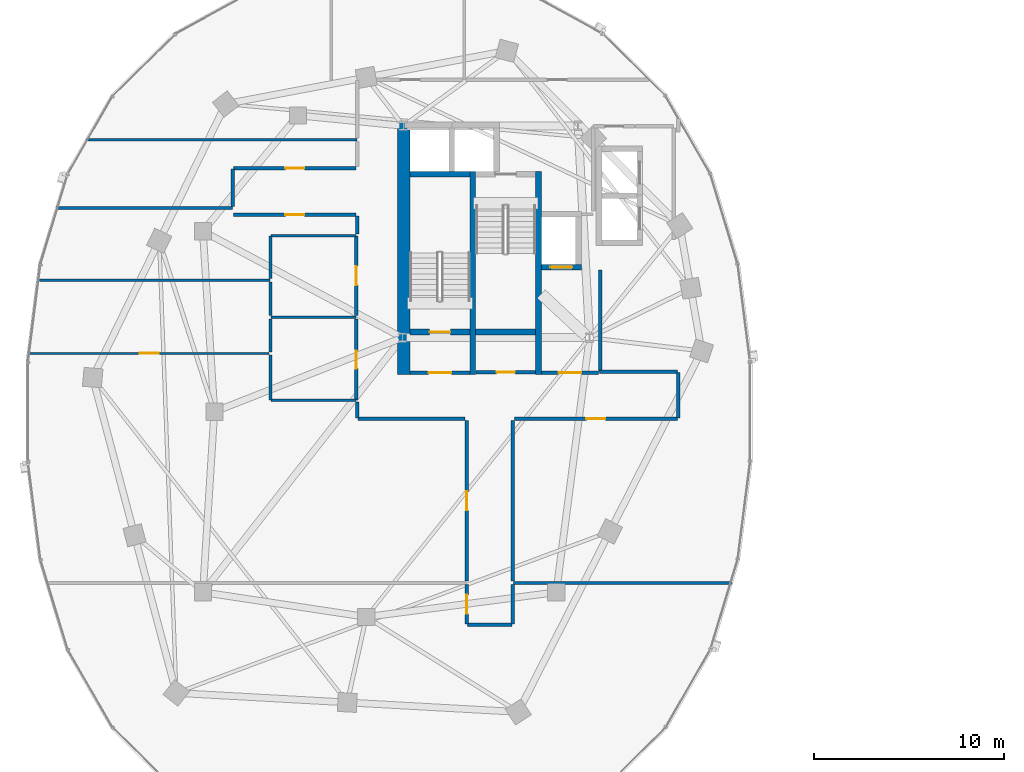
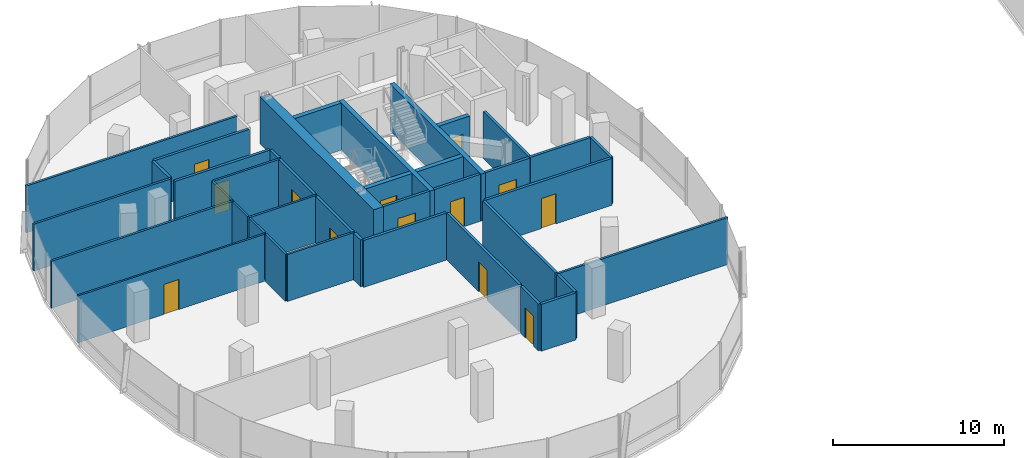
# One storey, part 12 of 22: 39 walls, 13 doors, 13 openings.
"""IFC4 building model written with IfcOpenShell, lengths in metres."""

from ifc_helpers import new_model, si_unit, direction, frame, frame_2d, origin, place, context, subcontext, project, spatial, rectangle, extrude, material, layer, layer_set, type_object, element, fill, save


model = new_model("IFC4")

# Units and contexts
model_context = context("Model", 3, precision=1e-05, world=origin(), true_north=direction((0.0, 1.0)))
body_context = subcontext(model_context, "Body", "Model", "MODEL_VIEW")
ifc_project = project(units=[si_unit("LENGTHUNIT", "METRE"), si_unit("AREAUNIT", "SQUARE_METRE"), si_unit("VOLUMEUNIT", "CUBIC_METRE"), si_unit("PLANEANGLEUNIT", "RADIAN"), si_unit("MASSUNIT", "GRAM", prefix="KILO"), si_unit("THERMODYNAMICTEMPERATUREUNIT", "KELVIN"), si_unit("POWERUNIT", "WATT")], contexts=[model_context])

# Site, building, storey
site_placement = place(None, origin())
site = spatial("IfcSite", under=ifc_project, at=site_placement, CompositionType="ELEMENT")
building_placement = place(site_placement, origin())
building = spatial("IfcBuilding", under=site, at=building_placement, Name="Cundina Bronze Exchange", CompositionType="ELEMENT")
storey_placement = place(building_placement, frame((0.0, 0.0, 147.60009765625)))
storey = spatial("IfcBuildingStorey", under=building, at=storey_placement, Name="L38", CompositionType="ELEMENT", Elevation=147.60009765625)

# Wall
ifc_material_1 = material(Name="Gypsum Fireboard Partition EI120")
ifc_layer_1 = layer(ifc_material_1, 0.179931640625, Name="Gypsum Fireboard Partition EI120")
ifc_layer_set_1 = layer_set([ifc_layer_1], Name="Gypsum Fireboard Partition EI120")
wall_type_1 = type_object("IfcWallType", Name="WL-COR-180", PredefinedType="PARTITIONING", material=ifc_layer_set_1)
wall_1_placement = place(storey_placement, frame((-20.889892578125, 2.14990234375, 0.0), z_axis=(0.0, 0.0, 1.0), x_axis=(0.0, 1.0, 0.0)))
element("IfcWall", 1, at=wall_1_placement, inside=storey, type_object=wall_type_1, Name="L38 W Firefighting Lobby Side Wall", PredefinedType="PARTITIONING", context=body_context, shape_type="SweptSolid", body=[
    extrude(rectangle(XDim=5.300048828125, YDim=0.179931640625, at=frame_2d((2.64990234375, 0.0))), origin(), (0.0, 0.0, 1.0), 3.35986328125),
])

# Wall, opening, door
wall_2_placement = place(storey_placement, frame((-23.97998046875, 2.06005859375, 0.0), z_axis=(0.0, 0.0, 1.0), x_axis=(1.0, 0.0, 0.0)))
wall_2 = element("IfcWall", 2, at=wall_2_placement, inside=storey, type_object=wall_type_1, Name="L38 W Firefighting Lobby Exit Wall", PredefinedType="PARTITIONING", context=body_context, shape_type="SweptSolid", body=[
    extrude(rectangle(XDim=3.0, YDim=0.179931640625, at=frame_2d((1.5, 0.0))), origin(), (0.0, 0.0, 1.0), 3.35986328125),
])
opening_1_placement = place(wall_2_placement, frame((0.89990234375, 0.0, 0.0)))
opening_1 = element("IfcOpeningElement", 3, at=opening_1_placement, cuts=wall_2, Name="Opening DF-01", PredefinedType="OPENING", context=body_context, shape_type="SweptSolid", body=[
    extrude(rectangle(XDim=1.199951171875, YDim=2.14990234375, at=frame_2d((0.60009765625, 1.074951171875))), frame((0.0, 0.099853515625, 0.0), z_axis=(0.0, -1.0, 0.0), x_axis=(1.0, 0.0, 0.0)), (0.0, 0.0, 1.0), 0.199951171875),
])
ifc_material_2 = material(Name="Steel ASTM A36 Painted", Category="steel")
door_type_1 = type_object("IfcDoorType", Name="DR-FFL-1200", OperationType="NOTDEFINED", PredefinedType="DOOR", material=ifc_material_2)
door_1_placement = place(opening_1_placement, origin())
door_1 = element("IfcDoor", 4, at=door_1_placement, inside=storey, type_object=door_type_1, Name="L38 W Firefighting Lobby Door", OperationType="SINGLE_SWING_RIGHT", OverallHeight=2.14990234375, OverallWidth=1.199951171875, PredefinedType="DOOR", context=body_context, shape_type="SweptSolid", body=[
    extrude(rectangle(XDim=1.199951171875, YDim=2.14990234375, at=frame_2d((0.60009765625, 1.074951171875))), frame((0.0, 0.02490234375, 0.0), z_axis=(0.0, -1.0, 0.0), x_axis=(1.0, 0.0, 0.0)), (0.0, 0.0, 1.0), 0.050048828125),
])
fill(opening_1, door_1)

wall_3_placement = place(storey_placement, frame((-30.89990234375, 2.06005859375, 0.0), z_axis=(0.0, 0.0, 1.0), x_axis=(1.0, 0.0, 0.0)))
wall_3 = element("IfcWall", 5, at=wall_3_placement, inside=storey, type_object=wall_type_1, Name="L38 W Stair Vestibule Exit Wall", PredefinedType="PARTITIONING", context=body_context, shape_type="SweptSolid", body=[
    extrude(rectangle(XDim=3.159912109375, YDim=0.179931640625, at=frame_2d((1.580078125, 0.0))), origin(), (0.0, 0.0, 1.0), 3.35986328125),
])
opening_2_placement = place(wall_3_placement, frame((0.97998046875, 0.0, 0.0)))
opening_2 = element("IfcOpeningElement", 6, at=opening_2_placement, cuts=wall_3, Name="Opening DF-01", PredefinedType="OPENING", context=body_context, shape_type="SweptSolid", body=[
    extrude(rectangle(XDim=1.199951171875, YDim=2.14990234375, at=frame_2d((0.60009765625, 1.074951171875))), frame((0.0, 0.099853515625, 0.0), z_axis=(0.0, -1.0, 0.0), x_axis=(1.0, 0.0, 0.0)), (0.0, 0.0, 1.0), 0.199951171875),
])
door_2_placement = place(opening_2_placement, origin())
door_2 = element("IfcDoor", 7, at=door_2_placement, inside=storey, type_object=door_type_1, Name="L38 W Stair Vestibule Door", OperationType="SINGLE_SWING_LEFT", OverallHeight=2.14990234375, OverallWidth=1.199951171875, PredefinedType="DOOR", context=body_context, shape_type="SweptSolid", body=[
    extrude(rectangle(XDim=1.199951171875, YDim=2.14990234375, at=frame_2d((0.60009765625, 1.074951171875))), frame((0.0, 0.02490234375, 0.0), z_axis=(0.0, -1.0, 0.0), x_axis=(1.0, 0.0, 0.0)), (0.0, 0.0, 1.0), 0.050048828125),
])
fill(opening_2, door_2)

wall_4_placement = place(storey_placement, frame((-27.419921875, 2.070068359375, 0.0), z_axis=(0.0, 0.0, 1.0), x_axis=(1.0, 0.0, 0.0)))
wall_4 = element("IfcWall", 8, at=wall_4_placement, inside=storey, type_object=wall_type_1, Name="L38 Interior Partition 006", PredefinedType="PARTITIONING", context=body_context, shape_type="SweptSolid", body=[
    extrude(rectangle(XDim=3.119873046875, YDim=0.179931640625, at=frame_2d((1.56005859375, 0.0))), origin(), (0.0, 0.0, 1.0), 3.35986328125),
])
opening_3_placement = place(wall_4_placement, frame((1.0849609375, 0.0, 0.0)))
opening_3 = element("IfcOpeningElement", 9, at=opening_3_placement, cuts=wall_4, Name="Opening DW-01", PredefinedType="OPENING", context=body_context, shape_type="SweptSolid", body=[
    extrude(rectangle(XDim=0.949951171875, YDim=2.10009765625, at=frame_2d((0.47509765625, 1.050048828125))), frame((0.0, 0.099853515625, 0.0), z_axis=(0.0, -1.0, 0.0), x_axis=(1.0, 0.0, 0.0)), (0.0, 0.0, 1.0), 0.199951171875),
])
ifc_material_3 = material(Name="Solid Andean Oak Timber Grade A", Category="wood")
door_type_2 = type_object("IfcDoorType", Name="DR-WC-950", OperationType="NOTDEFINED", PredefinedType="DOOR", material=ifc_material_3)
door_3_placement = place(opening_3_placement, origin())
door_3 = element("IfcDoor", 10, at=door_3_placement, inside=storey, type_object=door_type_2, Name="L38 Interior Door 006", OperationType="SINGLE_SWING_LEFT", OverallHeight=2.10009765625, OverallWidth=0.949951171875, PredefinedType="DOOR", context=body_context, shape_type="SweptSolid", body=[
    extrude(rectangle(XDim=0.949951171875, YDim=2.10009765625, at=frame_2d((0.47509765625, 1.050048828125))), frame((0.0, 0.02490234375, 0.0), z_axis=(0.0, -1.0, 0.0), x_axis=(1.0, 0.0, 0.0)), (0.0, 0.0, 1.0), 0.050048828125),
])
fill(opening_3, door_3)

wall_5_placement = place(storey_placement, frame((-33.719970703125, 0.6201171875, 0.0), z_axis=(0.0, 0.0, 1.0), x_axis=(0.0, 1.0, 0.0)))
wall_5 = element("IfcWall", 11, at=wall_5_placement, inside=storey, type_object=wall_type_1, Name="L38 Interior Partition 014", PredefinedType="PARTITIONING", context=body_context, shape_type="SweptSolid", body=[
    extrude(rectangle(XDim=4.259765625, YDim=0.179931640625, at=frame_2d((2.1298828125, 0.0))), origin(), (0.0, 0.0, 1.0), 3.35986328125),
])
opening_4_placement = place(wall_5_placement, frame((1.655029296875, 0.0, 0.0)))
opening_4 = element("IfcOpeningElement", 12, at=opening_4_placement, cuts=wall_5, Name="Opening DW-01", PredefinedType="OPENING", context=body_context, shape_type="SweptSolid", body=[
    extrude(rectangle(XDim=0.949951171875, YDim=2.10009765625, at=frame_2d((0.47509765625, 1.050048828125))), frame((0.0, 0.099853515625, 0.0), z_axis=(0.0, -1.0, 0.0), x_axis=(1.0, 0.0, 0.0)), (0.0, 0.0, 1.0), 0.199951171875),
])
door_4_placement = place(opening_4_placement, origin())
door_4 = element("IfcDoor", 13, at=door_4_placement, inside=storey, type_object=door_type_2, Name="L38 Interior Door 014", OperationType="SINGLE_SWING_LEFT", OverallHeight=2.10009765625, OverallWidth=0.949951171875, PredefinedType="DOOR", context=body_context, shape_type="SweptSolid", body=[
    extrude(rectangle(XDim=0.949951171875, YDim=2.10009765625, at=frame_2d((0.47509765625, 1.050048828125))), frame((0.0, 0.02490234375, 0.0), z_axis=(0.0, -1.0, 0.0), x_axis=(1.0, 0.0, 0.0)), (0.0, 0.0, 1.0), 0.050048828125),
])
fill(opening_4, door_4)

wall_6_placement = place(storey_placement, frame((-33.719970703125, 5.080078125, 0.0), z_axis=(0.0, 0.0, 1.0), x_axis=(0.0, 1.0, 0.0)))
wall_6 = element("IfcWall", 14, at=wall_6_placement, inside=storey, type_object=wall_type_1, Name="L38 Interior Partition 015", PredefinedType="PARTITIONING", context=body_context, shape_type="SweptSolid", body=[
    extrude(rectangle(XDim=4.159912109375, YDim=0.179931640625, at=frame_2d((2.080078125, 0.0))), origin(), (0.0, 0.0, 1.0), 3.35986328125),
])
opening_5_placement = place(wall_6_placement, frame((1.580078125, 0.0, 0.0)))
opening_5 = element("IfcOpeningElement", 15, at=opening_5_placement, cuts=wall_6, Name="Opening DO-01", PredefinedType="OPENING", context=body_context, shape_type="SweptSolid", body=[
    extrude(rectangle(XDim=1.0, YDim=2.14990234375, at=frame_2d((0.5, 1.074951171875))), frame((0.0, 0.099853515625, 0.0), z_axis=(0.0, -1.0, 0.0), x_axis=(1.0, 0.0, 0.0)), (0.0, 0.0, 1.0), 0.199951171875),
])
door_type_3 = type_object("IfcDoorType", Name="DR-OFF-1000", OperationType="NOTDEFINED", PredefinedType="DOOR", material=ifc_material_3)
door_5_placement = place(opening_5_placement, origin())
door_5 = element("IfcDoor", 16, at=door_5_placement, inside=storey, type_object=door_type_3, Name="L38 Interior Door 015", OperationType="SINGLE_SWING_LEFT", OverallHeight=2.14990234375, OverallWidth=1.0, PredefinedType="DOOR", context=body_context, shape_type="SweptSolid", body=[
    extrude(rectangle(XDim=1.0, YDim=2.14990234375, at=frame_2d((0.5, 1.074951171875))), frame((0.0, 0.02490234375, 0.0), z_axis=(0.0, -1.0, 0.0), x_axis=(1.0, 0.0, 0.0)), (0.0, 0.0, 1.0), 0.050048828125),
])
fill(opening_5, door_5)

# Wall
wall_7_placement = place(storey_placement, frame((-27.87841796875, -11.219970703125, 0.0), z_axis=(0.0, 0.0, 1.0), x_axis=(1.0, 0.0, 0.0)))
element("IfcWall", 17, at=wall_7_placement, inside=storey, type_object=wall_type_1, Name="L38 Interior Partition 023", PredefinedType="PARTITIONING", context=body_context, shape_type="SweptSolid", body=[
    extrude(rectangle(XDim=2.35693359375, YDim=0.179931640625, at=frame_2d((1.178466796875, 0.0))), origin(), (0.0, 0.0, 1.0), 3.35986328125),
])

# Wall, opening, door
wall_8_placement = place(storey_placement, frame((-27.919921875, -9.10009765625, 0.0), z_axis=(0.0, 0.0, 1.0), x_axis=(0.0, -1.0, 0.0)))
wall_8 = element("IfcWall", 18, at=wall_8_placement, inside=storey, type_object=wall_type_1, Name="L38 Interior Partition 024", PredefinedType="PARTITIONING", context=body_context, shape_type="SweptSolid", body=[
    extrude(rectangle(XDim=2.078369140625, YDim=0.179931640625, at=frame_2d((1.0390625, 0.0))), origin(), (0.0, 0.0, 1.0), 3.35986328125),
])
opening_6_placement = place(wall_8_placement, frame((0.539306640625, 0.0, 0.0)))
opening_6 = element("IfcOpeningElement", 19, at=opening_6_placement, cuts=wall_8, Name="Opening DO-01", PredefinedType="OPENING", context=body_context, shape_type="SweptSolid", body=[
    extrude(rectangle(XDim=1.0, YDim=2.14990234375, at=frame_2d((0.5, 1.074951171875))), frame((0.0, 0.099853515625, 0.0), z_axis=(0.0, -1.0, 0.0), x_axis=(1.0, 0.0, 0.0)), (0.0, 0.0, 1.0), 0.199951171875),
])
door_6_placement = place(opening_6_placement, origin())
door_6 = element("IfcDoor", 20, at=door_6_placement, inside=storey, type_object=door_type_3, Name="L38 Interior Door 024", OperationType="SINGLE_SWING_LEFT", OverallHeight=2.14990234375, OverallWidth=1.0, PredefinedType="DOOR", context=body_context, shape_type="SweptSolid", body=[
    extrude(rectangle(XDim=1.0, YDim=2.14990234375, at=frame_2d((0.5, 1.074951171875))), frame((0.0, 0.02490234375, 0.0), z_axis=(0.0, -1.0, 0.0), x_axis=(1.0, 0.0, 0.0)), (0.0, 0.0, 1.0), 0.050048828125),
])
fill(opening_6, door_6)

# Wall
wall_9_placement = place(storey_placement, frame((-25.47998046875, -11.178466796875, 0.0), z_axis=(0.0, 0.0, 1.0), x_axis=(0.0, 1.0, 0.0)))
element("IfcWall", 21, at=wall_9_placement, inside=storey, type_object=wall_type_1, Name="L38 Interior Partition 025", PredefinedType="PARTITIONING", context=body_context, shape_type="SweptSolid", body=[
    extrude(rectangle(XDim=2.078369140625, YDim=0.179931640625, at=frame_2d((1.0390625, 0.0))), origin(), (0.0, 0.0, 1.0), 3.35986328125),
])

# Wall, opening, door
wall_10_placement = place(storey_placement, frame((-27.919921875, -0.449951171875, 0.0), z_axis=(0.0, 0.0, 1.0), x_axis=(0.0, -1.0, 0.0)))
wall_10 = element("IfcWall", 22, at=wall_10_placement, inside=storey, type_object=wall_type_1, Name="L38 Interior Partition 026", PredefinedType="PARTITIONING", context=body_context, shape_type="SweptSolid", body=[
    extrude(rectangle(XDim=8.469970703125, YDim=0.179931640625, at=frame_2d((4.23486328125, 0.0))), origin(), (0.0, 0.0, 1.0), 3.35986328125),
])
opening_7_placement = place(wall_10_placement, frame((3.735107421875, 0.0, 0.0)))
opening_7 = element("IfcOpeningElement", 23, at=opening_7_placement, cuts=wall_10, Name="Opening DO-01", PredefinedType="OPENING", context=body_context, shape_type="SweptSolid", body=[
    extrude(rectangle(XDim=1.0, YDim=2.14990234375, at=frame_2d((0.5, 1.074951171875))), frame((0.0, 0.099853515625, 0.0), z_axis=(0.0, -1.0, 0.0), x_axis=(1.0, 0.0, 0.0)), (0.0, 0.0, 1.0), 0.199951171875),
])
door_7_placement = place(opening_7_placement, origin())
door_7 = element("IfcDoor", 24, at=door_7_placement, inside=storey, type_object=door_type_3, Name="L38 Interior Door 026", OperationType="SINGLE_SWING_LEFT", OverallHeight=2.14990234375, OverallWidth=1.0, PredefinedType="DOOR", context=body_context, shape_type="SweptSolid", body=[
    extrude(rectangle(XDim=1.0, YDim=2.14990234375, at=frame_2d((0.5, 1.074951171875))), frame((0.0, 0.02490234375, 0.0), z_axis=(0.0, -1.0, 0.0), x_axis=(1.0, 0.0, 0.0)), (0.0, 0.0, 1.0), 0.050048828125),
])
fill(opening_7, door_7)

# Walls
wall_11_placement = place(storey_placement, frame((-33.62841796875, -0.3701171875, 0.0), z_axis=(0.0, 0.0, 1.0), x_axis=(1.0, 0.0, 0.0)))
element("IfcWall", 25, at=wall_11_placement, inside=storey, type_object=wall_type_1, Name="L38 Interior Partition 027", PredefinedType="PARTITIONING", context=body_context, shape_type="SweptSolid", body=[
    extrude(rectangle(XDim=5.62841796875, YDim=0.179931640625, at=frame_2d((2.814208984375, 0.0))), origin(), (0.0, 0.0, 1.0), 3.35986328125),
])
wall_12_placement = place(storey_placement, frame((-33.669921875, 0.508544921875, 0.0), z_axis=(0.0, 0.0, 1.0), x_axis=(0.0, -1.0, 0.0)))
element("IfcWall", 26, at=wall_12_placement, inside=storey, type_object=wall_type_1, Name="L38 Interior Partition 028", PredefinedType="PARTITIONING", context=body_context, shape_type="SweptSolid", body=[
    extrude(rectangle(XDim=0.837158203125, YDim=0.179931640625, at=frame_2d((0.41845703125, 0.0))), origin(), (0.0, 0.0, 1.0), 3.35986328125),
])

# Wall, opening, door
wall_13_placement = place(storey_placement, frame((-25.39990234375, -0.3701171875, 0.0), z_axis=(0.0, 0.0, 1.0), x_axis=(1.0, 0.0, 0.0)))
wall_13 = element("IfcWall", 27, at=wall_13_placement, inside=storey, type_object=wall_type_1, Name="L38 Interior Partition 029", PredefinedType="PARTITIONING", context=body_context, shape_type="SweptSolid", body=[
    extrude(rectangle(XDim=8.578369140625, YDim=0.179931640625, at=frame_2d((4.2890625, 0.0))), origin(), (0.0, 0.0, 1.0), 3.35986328125),
])
opening_8_placement = place(wall_13_placement, frame((3.789306640625, 0.0, 0.0)))
opening_8 = element("IfcOpeningElement", 28, at=opening_8_placement, cuts=wall_13, Name="Opening DO-01", PredefinedType="OPENING", context=body_context, shape_type="SweptSolid", body=[
    extrude(rectangle(XDim=1.0, YDim=2.14990234375, at=frame_2d((0.5, 1.074951171875))), frame((0.0, 0.099853515625, 0.0), z_axis=(0.0, -1.0, 0.0), x_axis=(1.0, 0.0, 0.0)), (0.0, 0.0, 1.0), 0.199951171875),
])
door_8_placement = place(opening_8_placement, origin())
door_8 = element("IfcDoor", 29, at=door_8_placement, inside=storey, type_object=door_type_3, Name="L38 Interior Door 029", OperationType="SINGLE_SWING_LEFT", OverallHeight=2.14990234375, OverallWidth=1.0, PredefinedType="DOOR", context=body_context, shape_type="SweptSolid", body=[
    extrude(rectangle(XDim=1.0, YDim=2.14990234375, at=frame_2d((0.5, 1.074951171875))), frame((0.0, 0.02490234375, 0.0), z_axis=(0.0, -1.0, 0.0), x_axis=(1.0, 0.0, 0.0)), (0.0, 0.0, 1.0), 0.050048828125),
])
fill(opening_8, door_8)

# Walls
wall_14_placement = place(storey_placement, frame((-25.47998046875, -8.919921875, 0.0), z_axis=(0.0, 0.0, 1.0), x_axis=(0.0, 1.0, 0.0)))
element("IfcWall", 30, at=wall_14_placement, inside=storey, type_object=wall_type_1, Name="L38 Interior Partition 030", PredefinedType="PARTITIONING", context=body_context, shape_type="SweptSolid", body=[
    extrude(rectangle(XDim=8.469970703125, YDim=0.179931640625, at=frame_2d((4.23486328125, 0.0))), origin(), (0.0, 0.0, 1.0), 3.35986328125),
])
wall_15_placement = place(storey_placement, frame((-16.821533203125, 2.10009765625, 0.0), z_axis=(0.0, 0.0, 1.0), x_axis=(-1.0, 0.0, 0.0)))
element("IfcWall", 31, at=wall_15_placement, inside=storey, type_object=wall_type_1, Name="L38 Interior Partition 031", PredefinedType="PARTITIONING", context=body_context, shape_type="SweptSolid", body=[
    extrude(rectangle(XDim=4.098388671875, YDim=0.179931640625, at=frame_2d((2.04931640625, 0.0))), origin(), (0.0, 0.0, 1.0), 3.35986328125),
])
wall_16_placement = place(storey_placement, frame((-16.780029296875, -0.32861328125, 0.0), z_axis=(0.0, 0.0, 1.0), x_axis=(0.0, 1.0, 0.0)))
element("IfcWall", 32, at=wall_16_placement, inside=storey, type_object=wall_type_1, Name="L38 Interior Partition 032", PredefinedType="PARTITIONING", context=body_context, shape_type="SweptSolid", body=[
    extrude(rectangle(XDim=2.38720703125, YDim=0.179931640625, at=frame_2d((1.193603515625, 0.0))), origin(), (0.0, 0.0, 1.0), 3.35986328125),
])

# Wall, opening, door
wall_17_placement = place(storey_placement, frame((-40.178466796875, 10.3798828125, 0.0), z_axis=(0.0, 0.0, 1.0), x_axis=(1.0, 0.0, 0.0)))
wall_17 = element("IfcWall", 33, at=wall_17_placement, inside=storey, type_object=wall_type_1, Name="L38 Interior Partition 034", PredefinedType="PARTITIONING", context=body_context, shape_type="SweptSolid", body=[
    extrude(rectangle(XDim=6.428466796875, YDim=0.179931640625, at=frame_2d((3.21435546875, 0.0))), origin(), (0.0, 0.0, 1.0), 3.35986328125),
])
opening_9_placement = place(wall_17_placement, frame((2.714111328125, 0.0, 0.0)))
opening_9 = element("IfcOpeningElement", 34, at=opening_9_placement, cuts=wall_17, Name="Opening DO-01", PredefinedType="OPENING", context=body_context, shape_type="SweptSolid", body=[
    extrude(rectangle(XDim=1.0, YDim=2.14990234375, at=frame_2d((0.5, 1.074951171875))), frame((0.0, 0.099853515625, 0.0), z_axis=(0.0, -1.0, 0.0), x_axis=(1.0, 0.0, 0.0)), (0.0, 0.0, 1.0), 0.199951171875),
])
door_9_placement = place(opening_9_placement, origin())
door_9 = element("IfcDoor", 35, at=door_9_placement, inside=storey, type_object=door_type_3, Name="L38 Interior Door 034", OperationType="SINGLE_SWING_LEFT", OverallHeight=2.14990234375, OverallWidth=1.0, PredefinedType="DOOR", context=body_context, shape_type="SweptSolid", body=[
    extrude(rectangle(XDim=1.0, YDim=2.14990234375, at=frame_2d((0.5, 1.074951171875))), frame((0.0, 0.02490234375, 0.0), z_axis=(0.0, -1.0, 0.0), x_axis=(1.0, 0.0, 0.0)), (0.0, 0.0, 1.0), 0.050048828125),
])
fill(opening_9, door_9)

# Wall
wall_18_placement = place(storey_placement, frame((-33.669921875, 10.300048828125, 0.0), z_axis=(0.0, 0.0, 1.0), x_axis=(0.0, -1.0, 0.0)))
element("IfcWall", 36, at=wall_18_placement, inside=storey, type_object=wall_type_1, Name="L38 Interior Partition 035", PredefinedType="PARTITIONING", context=body_context, shape_type="SweptSolid", body=[
    extrude(rectangle(XDim=0.94873046875, YDim=0.179931640625, at=frame_2d((0.474365234375, 0.0))), origin(), (0.0, 0.0, 1.0), 3.35986328125),
])

# Wall, opening, door
wall_19_placement = place(storey_placement, frame((-33.75, 12.820068359375, 0.0), z_axis=(0.0, 0.0, 1.0), x_axis=(-1.0, 0.0, 0.0)))
wall_19 = element("IfcWall", 37, at=wall_19_placement, inside=storey, type_object=wall_type_1, Name="L38 Interior Partition 036", PredefinedType="PARTITIONING", context=body_context, shape_type="SweptSolid", body=[
    extrude(rectangle(XDim=6.428466796875, YDim=0.179931640625, at=frame_2d((3.21435546875, 0.0))), origin(), (0.0, 0.0, 1.0), 3.35986328125),
])
opening_10_placement = place(wall_19_placement, frame((2.714111328125, 0.0, 0.0)))
opening_10 = element("IfcOpeningElement", 38, at=opening_10_placement, cuts=wall_19, Name="Opening DO-01", PredefinedType="OPENING", context=body_context, shape_type="SweptSolid", body=[
    extrude(rectangle(XDim=1.0, YDim=2.14990234375, at=frame_2d((0.5, 1.074951171875))), frame((0.0, 0.099853515625, 0.0), z_axis=(0.0, -1.0, 0.0), x_axis=(1.0, 0.0, 0.0)), (0.0, 0.0, 1.0), 0.199951171875),
])
door_10_placement = place(opening_10_placement, origin())
door_10 = element("IfcDoor", 39, at=door_10_placement, inside=storey, type_object=door_type_3, Name="L38 Interior Door 036", OperationType="SINGLE_SWING_RIGHT", OverallHeight=2.14990234375, OverallWidth=1.0, PredefinedType="DOOR", context=body_context, shape_type="SweptSolid", body=[
    extrude(rectangle(XDim=1.0, YDim=2.14990234375, at=frame_2d((0.5, 1.074951171875))), frame((0.0, 0.02490234375, 0.0), z_axis=(0.0, -1.0, 0.0), x_axis=(1.0, 0.0, 0.0)), (0.0, 0.0, 1.0), 0.050048828125),
])
fill(opening_10, door_10)

# Walls
wall_20_placement = place(storey_placement, frame((-40.219970703125, 12.778564453125, 0.0), z_axis=(0.0, 0.0, 1.0), x_axis=(0.0, -1.0, 0.0)))
element("IfcWall", 40, at=wall_20_placement, inside=storey, type_object=wall_type_1, Name="L38 Interior Partition 037", PredefinedType="PARTITIONING", context=body_context, shape_type="SweptSolid", body=[
    extrude(rectangle(XDim=1.968505859375, YDim=0.179931640625, at=frame_2d((0.984375, 0.0))), origin(), (0.0, 0.0, 1.0), 3.35986328125),
])
ifc_material_4 = material(Name="Concrete C50/60", Category="concrete")
ifc_layer_2 = layer(ifc_material_4, 0.64990234375, Name="Concrete C50/60", Category="concrete")
ifc_layer_set_2 = layer_set([ifc_layer_2], Name="Concrete C50/60")
wall_type_2 = type_object("IfcWallType", Name="WL-CORE-650", PredefinedType="SHEAR", material=ifc_layer_set_2)
wall_21_placement = place(storey_placement, frame((-31.22509765625, 1.969970703125, 0.0), z_axis=(0.0, 0.0, 1.0), x_axis=(0.0, 1.0, 0.0)))
element("IfcWall", 41, at=wall_21_placement, inside=storey, type_object=wall_type_2, Name="L38 W Primary Core Shear Spine Wall", PredefinedType="SHEAR", context=body_context, shape_type="SweptSolid", body=[
    extrude(rectangle(XDim=13.330078125, YDim=0.64990234375, at=frame_2d((6.6650390625, 0.0))), origin(), (0.0, 0.0, 1.0), 3.35986328125),
])

# Wall, opening, door
ifc_material_5 = material(Name="Gypsum Acoustic Partition EI60")
ifc_layer_3 = layer(ifc_material_5, 0.125, Name="Gypsum Acoustic Partition EI60")
ifc_layer_set_3 = layer_set([ifc_layer_3], Name="Gypsum Acoustic Partition EI60")
wall_type_3 = type_object("IfcWallType", Name="WL-OFF-125", PredefinedType="PARTITIONING", material=ifc_layer_set_3)
wall_22_placement = place(storey_placement, frame((-38.320068359375, 3.070068359375, 0.0), z_axis=(0.0, 0.0, 1.0), x_axis=(-1.0, 0.0, 0.0)))
wall_22 = element("IfcWall", 42, at=wall_22_placement, inside=storey, type_object=wall_type_3, Name="L38 Interior Partition 042", PredefinedType="PARTITIONING", context=body_context, shape_type="SweptSolid", body=[
    extrude(rectangle(XDim=12.63134765625, YDim=0.125, at=frame_2d((6.315673828125, 0.0))), origin(), (0.0, 0.0, 1.0), 3.35986328125),
])
opening_11_placement = place(wall_22_placement, frame((5.81591796875, 0.0, 0.0)))
opening_11 = element("IfcOpeningElement", 43, at=opening_11_placement, cuts=wall_22, Name="Opening DO-01", PredefinedType="OPENING", context=body_context, shape_type="SweptSolid", body=[
    extrude(rectangle(XDim=1.0, YDim=2.14990234375, at=frame_2d((0.5, 1.074951171875))), frame((0.0, 0.072509765625, 0.0), z_axis=(0.0, -1.0, 0.0), x_axis=(1.0, 0.0, 0.0)), (0.0, 0.0, 1.0), 0.14501953125),
])
door_11_placement = place(opening_11_placement, origin())
door_11 = element("IfcDoor", 44, at=door_11_placement, inside=storey, type_object=door_type_3, Name="L38 Interior Door 042", OperationType="SINGLE_SWING_RIGHT", OverallHeight=2.14990234375, OverallWidth=1.0, PredefinedType="DOOR", context=body_context, shape_type="SweptSolid", body=[
    extrude(rectangle(XDim=1.0, YDim=2.14990234375, at=frame_2d((0.5, 1.074951171875))), frame((0.0, 0.02490234375, 0.0), z_axis=(0.0, -1.0, 0.0), x_axis=(1.0, 0.0, 0.0)), (0.0, 0.0, 1.0), 0.050048828125),
])
fill(opening_11, door_11)

# Walls
ifc_layer_4 = layer(ifc_material_4, 0.300048828125, Name="Concrete C50/60", Category="concrete")
ifc_layer_set_4 = layer_set([ifc_layer_4], Name="Concrete C50/60")
wall_type_4 = type_object("IfcWallType", Name="WL-SHFT-300", PredefinedType="SHEAR", material=ifc_layer_set_4)
for number, where, z_axis, x_axis, name in (
    (45, (-27.590087890625, 1.969970703125, 0.0), (0.0, 0.0, 1.0), (0.0, 1.0, 0.0), "L38 W Stair Shaft Dividing Shear Wall"),
    (46, (-24.1298828125, 1.969970703125, 0.0), (0.0, 0.0, 1.0), (0.0, 1.0, 0.0), "L38 W Stair 2 East Shear Wall"),
):
    element("IfcWall", number, at=place(storey_placement, frame(where, z_axis=z_axis, x_axis=x_axis)), inside=storey, type_object=wall_type_4, Name=name, PredefinedType="SHEAR", context=body_context, shape_type="SweptSolid", body=[
        extrude(rectangle(XDim=10.679931640625, YDim=0.300048828125, at=frame_2d((5.33984375, 0.0))), origin(), (0.0, 0.0, 1.0), 3.35986328125),
    ])

# Wall, opening, door
wall_23_placement = place(storey_placement, frame((-30.89990234375, 4.199951171875, 0.0), z_axis=(0.0, 0.0, 1.0), x_axis=(1.0, 0.0, 0.0)))
wall_23 = element("IfcWall", 47, at=wall_23_placement, inside=storey, type_object=wall_type_4, Name="L38 Stair W1 Landing Wall", PredefinedType="SHEAR", context=body_context, shape_type="SweptSolid", body=[
    extrude(rectangle(XDim=3.159912109375, YDim=0.300048828125, at=frame_2d((1.580078125, 0.0))), origin(), (0.0, 0.0, 1.0), 3.35986328125),
])
opening_12_placement = place(wall_23_placement, frame((1.030029296875, 0.0, 0.0)))
opening_12 = element("IfcOpeningElement", 48, at=opening_12_placement, cuts=wall_23, Name="Opening DS-01", PredefinedType="OPENING", context=body_context, shape_type="SweptSolid", body=[
    extrude(rectangle(XDim=1.10009765625, YDim=2.14990234375, at=frame_2d((0.550048828125, 1.074951171875))), frame((0.0, 0.159912109375, 0.0), z_axis=(0.0, -1.0, 0.0), x_axis=(1.0, 0.0, 0.0)), (0.0, 0.0, 1.0), 0.320068359375),
])
door_type_4 = type_object("IfcDoorType", Name="DR-STR-1100", OperationType="NOTDEFINED", PredefinedType="DOOR", material=ifc_material_2)
door_12_placement = place(opening_12_placement, origin())
door_12 = element("IfcDoor", 49, at=door_12_placement, inside=storey, type_object=door_type_4, Name="L38 Smokeproof Stair W1 Door", OperationType="SINGLE_SWING_RIGHT", OverallHeight=2.14990234375, OverallWidth=1.10009765625, PredefinedType="DOOR", context=body_context, shape_type="SweptSolid", body=[
    extrude(rectangle(XDim=1.10009765625, YDim=2.14990234375, at=frame_2d((0.550048828125, 1.074951171875))), frame((0.0, 0.02490234375, 0.0), z_axis=(0.0, -1.0, 0.0), x_axis=(1.0, 0.0, 0.0)), (0.0, 0.0, 1.0), 0.050048828125),
])
fill(opening_12, door_12)

# Walls
for number, where, z_axis, x_axis, name in (
    (50, (-30.89990234375, 12.5, 0.0), (0.0, 0.0, 1.0), (1.0, 0.0, 0.0), "L38 Stair W1 Far Shaft Wall"),
    (51, (-27.43994140625, 4.199951171875, 0.0), (0.0, 0.0, 1.0), (1.0, 0.0, 0.0), "L38 Stair W2 Far Shaft Wall"),
):
    element("IfcWall", number, at=place(storey_placement, frame(where, z_axis=z_axis, x_axis=x_axis)), inside=storey, type_object=wall_type_4, Name=name, PredefinedType="SHEAR", context=body_context, shape_type="SweptSolid", body=[
        extrude(rectangle(XDim=3.159912109375, YDim=0.300048828125, at=frame_2d((1.580078125, 0.0))), origin(), (0.0, 0.0, 1.0), 3.35986328125),
    ])

# Wall, opening, door
wall_24_placement = place(storey_placement, frame((-23.97998046875, 7.60009765625, 0.0), z_axis=(0.0, 0.0, 1.0), x_axis=(1.0, 0.0, 0.0)))
wall_24 = element("IfcWall", 52, at=wall_24_placement, inside=storey, type_object=wall_type_4, Name="L38 FFL-W Hoistway Front Wall", PredefinedType="SHEAR", context=body_context, shape_type="SweptSolid", body=[
    extrude(rectangle(XDim=2.10009765625, YDim=0.300048828125, at=frame_2d((1.050048828125, 0.0))), origin(), (0.0, 0.0, 1.0), 3.35986328125),
])
opening_13_placement = place(wall_24_placement, frame((0.47509765625, 0.0, 0.0)))
opening_13 = element("IfcOpeningElement", 53, at=opening_13_placement, cuts=wall_24, Name="Opening LD-01", PredefinedType="OPENING", context=body_context, shape_type="SweptSolid", body=[
    extrude(rectangle(XDim=1.14990234375, YDim=2.199951171875, at=frame_2d((0.574951171875, 1.10009765625))), frame((0.0, 0.159912109375, 0.0), z_axis=(0.0, -1.0, 0.0), x_axis=(1.0, 0.0, 0.0)), (0.0, 0.0, 1.0), 0.320068359375),
])
door_type_5 = type_object("IfcDoorType", Name="DR-LND-1150", OperationType="NOTDEFINED", PredefinedType="TRAPDOOR", material=ifc_material_2)
door_13_placement = place(opening_13_placement, origin())
door_13 = element("IfcDoor", 54, at=door_13_placement, inside=storey, type_object=door_type_5, Name="L38 FFL-W Sliding Landing Door", OperationType="SLIDING_TO_LEFT", OverallHeight=2.199951171875, OverallWidth=1.14990234375, PredefinedType="TRAPDOOR", context=body_context, shape_type="SweptSolid", body=[
    extrude(rectangle(XDim=1.14990234375, YDim=2.199951171875, at=frame_2d((0.574951171875, 1.10009765625))), frame((0.0, 0.02490234375, 0.0), z_axis=(0.0, -1.0, 0.0), x_axis=(1.0, 0.0, 0.0)), (0.0, 0.0, 1.0), 0.050048828125),
])
fill(opening_13, door_13)

# Walls
ifc_layer_5 = layer(ifc_material_5, 0.14990234375, Name="Gypsum Acoustic Partition EI60")
ifc_layer_set_5 = layer_set([ifc_layer_5], Name="Gypsum Acoustic Partition EI60")
wall_type_5 = type_object("IfcWallType", Name="WL-TEN-150", PredefinedType="PARTITIONING", material=ifc_layer_set_5)
wall_25_placement = place(storey_placement, frame((-25.449951171875, -9.010009765625, 0.0), z_axis=(0.0, 0.0, 1.0), x_axis=(1.0, 0.0, 0.0)))
element("IfcWall", 55, at=wall_25_placement, inside=storey, type_object=wall_type_5, Name="L38 Interior Partition 017", PredefinedType="PARTITIONING", context=body_context, shape_type="SweptSolid", body=[
    extrude(rectangle(XDim=11.495361328125, YDim=0.14990234375, at=frame_2d((5.74755859375, 0.0))), origin(), (0.0, 0.0, 1.0), 3.35986328125),
])
wall_26_placement = place(storey_placement, frame((-50.5263671875, 6.919921875, 0.0), z_axis=(0.0, 0.0, 1.0), x_axis=(1.0, 0.0, 0.0)))
element("IfcWall", 56, at=wall_26_placement, inside=storey, type_object=wall_type_5, Name="L38 Interior Partition 018", PredefinedType="PARTITIONING", context=body_context, shape_type="SweptSolid", body=[
    extrude(rectangle(XDim=12.25634765625, YDim=0.14990234375, at=frame_2d((6.128173828125, 0.0))), origin(), (0.0, 0.0, 1.0), 3.35986328125),
])
wall_27_placement = place(storey_placement, frame((-49.527099609375, 10.719970703125, 0.0), z_axis=(0.0, 0.0, 1.0), x_axis=(1.0, 0.0, 0.0)))
element("IfcWall", 57, at=wall_27_placement, inside=storey, type_object=wall_type_5, Name="L38 Interior Partition 019", PredefinedType="PARTITIONING", context=body_context, shape_type="SweptSolid", body=[
    extrude(rectangle(XDim=9.277099609375, YDim=0.14990234375, at=frame_2d((4.638671875, 0.0))), origin(), (0.0, 0.0, 1.0), 3.35986328125),
])
wall_28_placement = place(storey_placement, frame((-47.953125, 14.320068359375, 0.0), z_axis=(0.0, 0.0, 1.0), x_axis=(1.0, 0.0, 0.0)))
element("IfcWall", 58, at=wall_28_placement, inside=storey, type_object=wall_type_5, Name="L38 Interior Partition 020", PredefinedType="PARTITIONING", context=body_context, shape_type="SweptSolid", body=[
    extrude(rectangle(XDim=14.253173828125, YDim=0.14990234375, at=frame_2d((7.12646484375, 0.0))), origin(), (0.0, 0.0, 1.0), 3.35986328125),
])
ifc_material_6 = material(Name="Moisture-Resistant Masonry Block Grade M15", Category="masonry")
ifc_layer_6 = layer(ifc_material_6, 0.139892578125, Name="Moisture-Resistant Masonry Block Grade M15", Category="masonry")
ifc_layer_set_6 = layer_set([ifc_layer_6], Name="Moisture-Resistant Masonry Block Grade M15")
wall_type_6 = type_object("IfcWallType", Name="WL-WET-140", PredefinedType="PARTITIONING", material=ifc_layer_set_6)
wall_29_placement = place(storey_placement, frame((-38.239990234375, 0.6201171875, 0.0), z_axis=(0.0, 0.0, 1.0), x_axis=(0.0, 1.0, 0.0)))
element("IfcWall", 59, at=wall_29_placement, inside=storey, type_object=wall_type_6, Name="L38 Interior Partition 007", PredefinedType="PARTITIONING", context=body_context, shape_type="SweptSolid", body=[
    extrude(rectangle(XDim=2.364990234375, YDim=0.139892578125, at=frame_2d((1.1826171875, 0.0))), origin(), (0.0, 0.0, 1.0), 3.35986328125),
])
wall_30_placement = place(storey_placement, frame((-38.239990234375, 3.155029296875, 0.0), z_axis=(0.0, 0.0, 1.0), x_axis=(0.0, 1.0, 0.0)))
element("IfcWall", 60, at=wall_30_placement, inside=storey, type_object=wall_type_6, Name="L38 Interior Partition 008", PredefinedType="PARTITIONING", context=body_context, shape_type="SweptSolid", body=[
    extrude(rectangle(XDim=1.739990234375, YDim=0.139892578125, at=frame_2d((0.8701171875, 0.0))), origin(), (0.0, 0.0, 1.0), 3.35986328125),
])
wall_31_placement = place(storey_placement, frame((-38.239990234375, 5.06494140625, 0.0), z_axis=(0.0, 0.0, 1.0), x_axis=(0.0, 1.0, 0.0)))
element("IfcWall", 61, at=wall_31_placement, inside=storey, type_object=wall_type_6, Name="L38 Interior Partition 009", PredefinedType="PARTITIONING", context=body_context, shape_type="SweptSolid", body=[
    extrude(rectangle(XDim=1.77001953125, YDim=0.139892578125, at=frame_2d((0.885009765625, 0.0))), origin(), (0.0, 0.0, 1.0), 3.35986328125),
])
wall_32_placement = place(storey_placement, frame((-38.239990234375, 7.0048828125, 0.0), z_axis=(0.0, 0.0, 1.0), x_axis=(0.0, 1.0, 0.0)))
element("IfcWall", 62, at=wall_32_placement, inside=storey, type_object=wall_type_6, Name="L38 Interior Partition 010", PredefinedType="PARTITIONING", context=body_context, shape_type="SweptSolid", body=[
    extrude(rectangle(XDim=2.235107421875, YDim=0.139892578125, at=frame_2d((1.11767578125, 0.0))), origin(), (0.0, 0.0, 1.0), 3.35986328125),
])
for number, where, z_axis, x_axis, name in (
    (63, (-38.219970703125, 0.60009765625, 0.0), (0.0, 0.0, 1.0), (1.0, 0.0, 0.0), "L38 Interior Partition 011"),
    (64, (-38.219970703125, 4.97998046875, 0.0), (0.0, 0.0, 1.0), (1.0, 0.0, 0.0), "L38 Interior Partition 012"),
    (65, (-38.219970703125, 9.260009765625, 0.0), (0.0, 0.0, 1.0), (1.0, 0.0, 0.0), "L38 Interior Partition 013"),
):
    element("IfcWall", number, at=place(storey_placement, frame(where, z_axis=z_axis, x_axis=x_axis)), inside=storey, type_object=wall_type_6, Name=name, PredefinedType="PARTITIONING", context=body_context, shape_type="SweptSolid", body=[
        extrude(rectangle(XDim=4.47998046875, YDim=0.139892578125, at=frame_2d((2.239990234375, 0.0))), origin(), (0.0, 0.0, 1.0), 3.35986328125),
    ])

save(model, "model.ifc")
